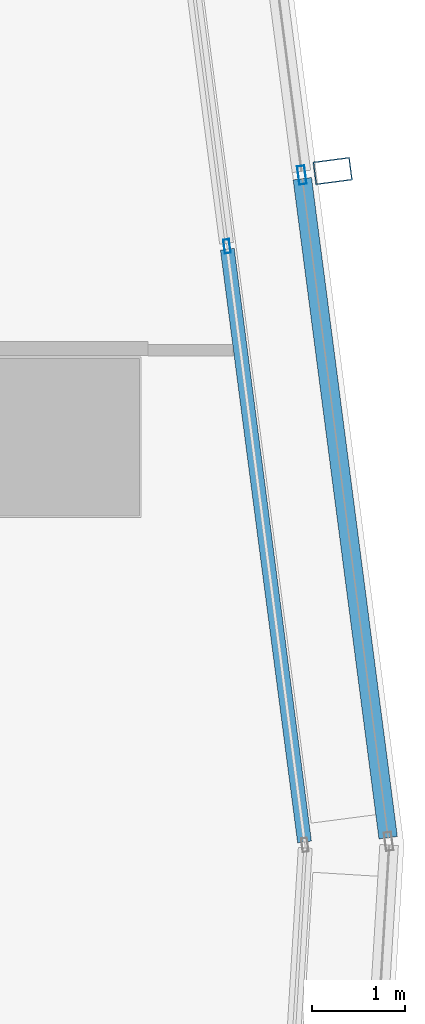
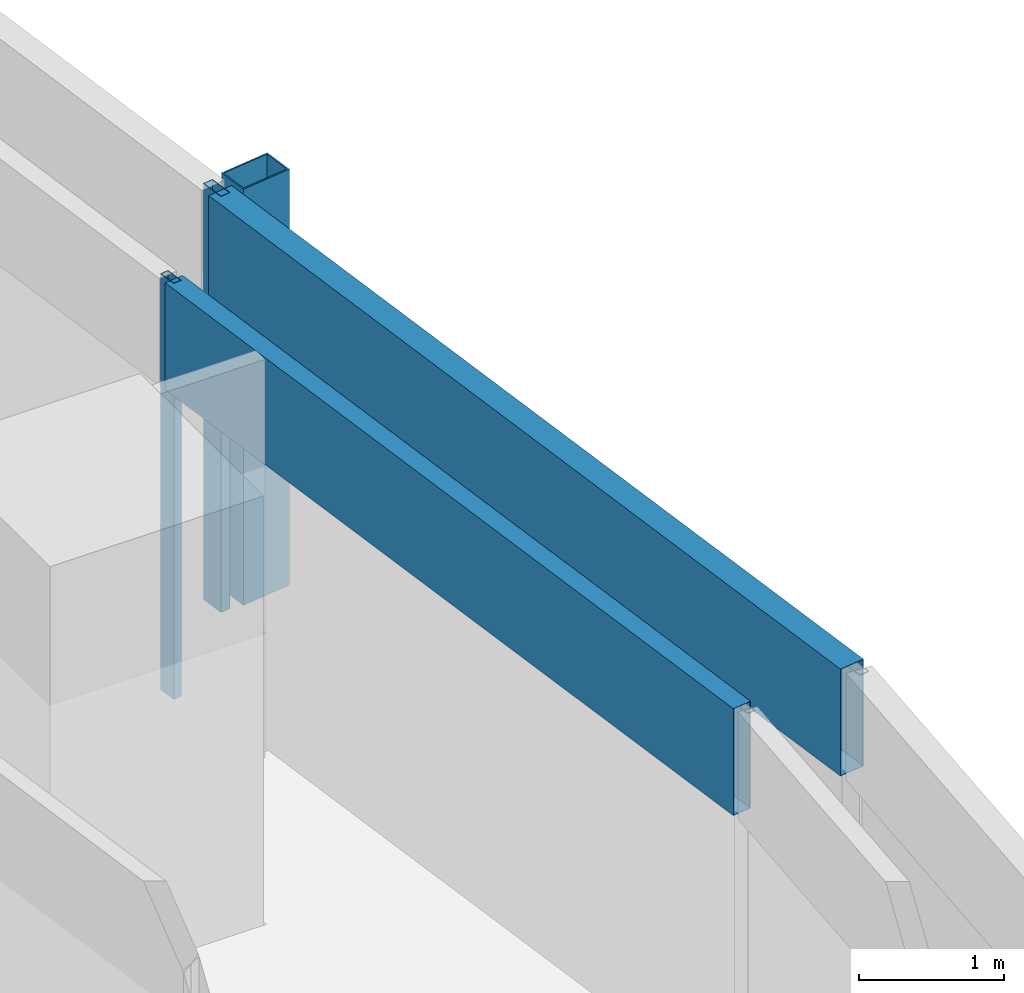
# One storey, part 26 of 40: 5 members, 2 elements without a shape of their own.
"""IFC4 building model written with IfcOpenShell, lengths in metres."""

import ifcopenshell
import ifcopenshell.guid

model = None  # the IFC model being written
_history = None  # IfcOwnerHistory: only IFC2X3 demands one
_inside = {}  # id of a spatial element -> (the spatial element, [elements in it])
_under = {}  # id of a project, library or spatial element -> (it, [spatial elements below it])
_declared = {}  # id of a project -> (the project, [libraries it declares])
_typed = {}  # id of a type object -> (the type object, [elements of that type])
_made_of = {}  # id of a material, layer set ... -> (it, [elements and type objects made of it])


def new_model(schema):
    """Start an empty IFC model of exactly this schema.

    Asked for "IFC4X3", IfcOpenShell would pick the latest addendum, in which some entities
    have other attributes; the version numbers below select the first issue.
    IFC2X3 requires an IfcOwnerHistory on every rooted entity: one is made here for all.
    """
    global model, _history
    if schema == "IFC4X3":
        model = ifcopenshell.file(schema_version=(4, 3, 0, 0))
    else:
        model = ifcopenshell.file(schema=schema)
    _inside.clear()
    _under.clear()
    _declared.clear()
    _typed.clear()
    _made_of.clear()
    _history = None
    if model.schema == "IFC2X3":
        org = make("IfcOrganization", Name="unknown")
        user = make(
            "IfcPersonAndOrganization",
            ThePerson=make("IfcPerson", FamilyName="unknown"),
            TheOrganization=org,
        )
        app = make(
            "IfcApplication",
            ApplicationDeveloper=org,
            Version="unknown",
            ApplicationFullName="unknown",
            ApplicationIdentifier="unknown",
        )
        _history = make(
            "IfcOwnerHistory",
            OwningUser=user,
            OwningApplication=app,
            ChangeAction="ADDED",
            CreationDate=0,
        )
    return model


def make(cls, **values):
    """One entity of the class cls with the attributes given. An attribute that is None is left unset."""
    return model.create_entity(
        cls, **{name: value for name, value in values.items() if value is not None}
    )


def rooted(cls, **values):
    """An entity with a GlobalId (a new one), such as an element, a storey or a relation."""
    return make(cls, GlobalId=ifcopenshell.guid.new(), OwnerHistory=_history, **values)


def si_unit(unit_type, name, prefix=None):
    """IfcSIUnit, for example si_unit("LENGTHUNIT", "METRE", prefix="MILLI")."""
    return make("IfcSIUnit", UnitType=unit_type, Prefix=prefix, Name=name)


def assignment(units):
    """IfcUnitAssignment: the units of a project."""
    return None if units is None else make("IfcUnitAssignment", Units=units)


def point(xyz):
    """IfcCartesianPoint."""
    return None if xyz is None else make("IfcCartesianPoint", Coordinates=xyz)


def direction(xyz):
    """IfcDirection."""
    return None if xyz is None else make("IfcDirection", DirectionRatios=xyz)


def frame(location, z_axis=None, x_axis=None):
    """IfcAxis2Placement3D, a coordinate frame: its origin and axes. An axis left out is left unset."""
    return make(
        "IfcAxis2Placement3D",
        Location=point(location),
        Axis=direction(z_axis),
        RefDirection=direction(x_axis),
    )


def frame_2d(location, x_axis=None):
    """IfcAxis2Placement2D, a coordinate frame in the plane: its origin and x axis."""
    return make(
        "IfcAxis2Placement2D", Location=point(location), RefDirection=direction(x_axis)
    )


def origin():
    """The frame at (0, 0, 0) with its axes left unset."""
    return frame((0.0, 0.0, 0.0))


def origin_2d():
    """The frame at (0, 0) in the plane with its x axis left unset."""
    return frame_2d((0.0, 0.0))


def place(relative_to, where):
    """IfcLocalPlacement: puts the frame where relative to a parent placement (None: the world)."""
    return make(
        "IfcLocalPlacement", PlacementRelTo=relative_to, RelativePlacement=where
    )


def context(
    kind, dimensions, precision=None, world=None, true_north=None, identifier=None
):
    """IfcGeometricRepresentationContext, for example the 3D "Model" context."""
    return make(
        "IfcGeometricRepresentationContext",
        ContextIdentifier=identifier,
        ContextType=kind,
        CoordinateSpaceDimension=dimensions,
        Precision=precision,
        WorldCoordinateSystem=world,
        TrueNorth=true_north,
    )


def subcontext(parent, identifier, kind, view, scale=None):
    """IfcGeometricRepresentationSubContext, for example "Body" below "Model"."""
    return make(
        "IfcGeometricRepresentationSubContext",
        ContextIdentifier=identifier,
        ContextType=kind,
        ParentContext=parent,
        TargetScale=scale,
        TargetView=view,
    )


def project(units=None, contexts=None):
    """IfcProject with its units and contexts."""
    return rooted(
        "IfcProject",
        Name="project",
        RepresentationContexts=contexts,
        UnitsInContext=assignment(units),
    )


def spatial(cls, under=None, at=None, **own):
    """A site, building, storey or space (cls), placed at a placement, below another one or the project."""
    s = rooted(cls, ObjectPlacement=at, **own)
    if under is not None:
        _under.setdefault(under.id(), (under, []))[1].append(s)
    return s


def profile(cls, at=None, kind="AREA", **sizes):
    """A parametric profile (cls). Its sizes go by their IFC names, for example OverallWidth=200.0."""
    return make(cls, ProfileType=kind, Position=at, **sizes)


def hollow_rectangle(**sizes):
    """IfcRectangleHollowProfileDef."""
    return profile("IfcRectangleHollowProfileDef", **sizes)


def extrude(swept, where, along, depth):
    """IfcExtrudedAreaSolid: the profile swept, set in the frame where, extruded along a direction by depth."""
    return make(
        "IfcExtrudedAreaSolid",
        SweptArea=swept,
        Position=where,
        ExtrudedDirection=direction(along),
        Depth=depth,
    )


def shape(context_of_items, identifier, shape_type, items):
    """IfcShapeRepresentation: the items that make up one representation, for example the "Body"."""
    return make(
        "IfcShapeRepresentation",
        ContextOfItems=context_of_items,
        RepresentationIdentifier=identifier,
        RepresentationType=shape_type,
        Items=items,
    )


def material(Name=None, Category=None):
    """IfcMaterial."""
    return make("IfcMaterial", Name=Name, Category=Category)


def material_profile(
    of_material, cross_section, Name=None, Category=None, Priority=None
):
    """IfcMaterialProfile: a cross section and its material."""
    return make(
        "IfcMaterialProfile",
        Name=Name,
        Material=of_material,
        Profile=cross_section,
        Priority=Priority,
        Category=Category,
    )


def profile_set(profiles, Name=None, composite=None):
    """IfcMaterialProfileSet."""
    return make(
        "IfcMaterialProfileSet",
        Name=Name,
        MaterialProfiles=profiles,
        CompositeProfile=composite,
    )


def made_of(thing, what):
    """Note that an element or type object is made of a material, layer set ...; save() writes the relation."""
    if what is not None:
        _made_of.setdefault(what.id(), (what, []))[1].append(thing)
    return thing


def type_object(cls, material=None, **own):
    """A type object (cls), such as IfcWallType, which elements share."""
    return made_of(rooted(cls, **own), material)


def element(
    cls,
    number,
    at=None,
    inside=None,
    cuts=None,
    type_object=None,
    material=None,
    context=None,
    identifier="Body",
    shape_type=None,
    held_by="IfcProductDefinitionShape",
    body=None,
    shapes=None,
    **own,
):
    """One element of the class cls, such as IfcWall. Its Tag is "e" and its number.

    at: its placement. inside: the storey or other place that contains it. cuts: it is an
    opening in that element (IfcRelVoidsElement). A single representation is given by context,
    identifier, shape_type and body (its items); several are given by shapes. held_by: the class
    of the entity that holds the representations. save() writes the other relations.
    """
    e = rooted(cls, Tag="e%d" % number, ObjectPlacement=at, **own)
    if body is not None:
        shapes = [shape(context, identifier, shape_type, body)]
    if shapes is not None:
        e.Representation = make(held_by, Representations=shapes)
    if inside is not None:
        _inside.setdefault(inside.id(), (inside, []))[1].append(e)
    if cuts is not None:
        rooted(
            "IfcRelVoidsElement", RelatingBuildingElement=cuts, RelatedOpeningElement=e
        )
    if type_object is not None:
        _typed.setdefault(type_object.id(), (type_object, []))[1].append(e)
    return made_of(e, material)


def aggregate(whole, parts):
    """IfcRelAggregates: a whole, such as a stair, and the parts it consists of."""
    return rooted("IfcRelAggregates", RelatingObject=whole, RelatedObjects=parts)


def save(model, path):
    """Write the relations noted so far, then the file.

    IfcRelAggregates (storeys below a building ...), IfcRelContainedInSpatialStructure (elements
    in a storey), IfcRelDefinesByType, IfcRelAssociatesMaterial and IfcRelDeclares: one each for
    every whole, place, type object, material and project.
    """
    for whole, parts in _under.values():
        aggregate(whole, parts)
    for where, things in _inside.values():
        rooted(
            "IfcRelContainedInSpatialStructure",
            RelatedElements=things,
            RelatingStructure=where,
        )
    for kind, things in _typed.values():
        rooted("IfcRelDefinesByType", RelatedObjects=things, RelatingType=kind)
    for what, things in _made_of.values():
        rooted("IfcRelAssociatesMaterial", RelatedObjects=things, RelatingMaterial=what)
    for by, libraries in _declared.values():
        rooted("IfcRelDeclares", RelatingContext=by, RelatedDefinitions=libraries)
    model.write(path)


model = new_model("IFC4")

# Units and contexts
model_context = context("Model", 3, precision=1e-05, world=origin(), true_north=direction((0.0, 1.0)))
body_context = subcontext(model_context, "Body", "Model", "MODEL_VIEW")
ifc_project = project(units=[si_unit("LENGTHUNIT", "METRE"), si_unit("AREAUNIT", "SQUARE_METRE"), si_unit("VOLUMEUNIT", "CUBIC_METRE"), si_unit("PLANEANGLEUNIT", "RADIAN"), si_unit("MASSUNIT", "GRAM", prefix="KILO")], contexts=[model_context])

# Site, building, storey
site_placement = place(None, origin())
site = spatial("IfcSite", under=ifc_project, at=site_placement, CompositionType="ELEMENT")
building_placement = place(site_placement, origin())
building = spatial("IfcBuilding", under=site, at=building_placement, Name="Rekha Terrace Tower", CompositionType="ELEMENT")
storey_placement = place(building_placement, frame((0.0, 0.0, 110.300048828125)))
storey = spatial("IfcBuildingStorey", under=building, at=storey_placement, Name="L27", CompositionType="ELEMENT", Elevation=110.300048828125)

# Curtain wall, member
ifc_material_1 = material(Name="Aluminium framing", Category="aluminium")
curtain_wall_type_1 = type_object("IfcCurtainWallType", Name="CW2 double skin outer glazing", PredefinedType="USERDEFINED", material=ifc_material_1)
curtain_wall_1_placement = place(storey_placement, origin())
curtain_wall_1 = element("IfcCurtainWall", 1, at=curtain_wall_1_placement, inside=storey, type_object=curtain_wall_type_1, Name="CW2 double skin outer glazing", ObjectType="DOUBLE SKIN OUTER GLAZING", PredefinedType="USERDEFINED")
ifc_material_2 = material(Name="Steel S355 with fluorocarbon finish", Category="steel")
ifc_material_profile_1 = material_profile(ifc_material_2, hollow_rectangle(XDim=0.25, YDim=0.39990234375, WallThickness=0.012451171875, at=origin_2d()), Name="RHS400x250x12.5")
ifc_profile_set_1 = profile_set([ifc_material_profile_1], Name="Steel S355 with fluorocarbon finish")
member_type_1 = type_object("IfcMemberType", Name="BL1 facade blade RHS 400 x 250", PredefinedType="USERDEFINED", material=ifc_profile_set_1)
member_1_placement = place(storey_placement, frame((70.131103515625, 53.2685546875, 0.0), z_axis=(0.0, 0.0, 1.0), x_axis=(-0.129119247945, 0.991629073702, 0.0)))
member_1 = element("IfcMember", 2, at=member_1_placement, type_object=member_type_1, Name="Facade blade", ObjectType="FACADE BLADE", PredefinedType="USERDEFINED", context=body_context, shape_type="SweptSolid", body=[
    extrude(hollow_rectangle(XDim=0.25, YDim=0.39990234375, WallThickness=0.012451171875, at=origin_2d()), origin(), (0.0, 0.0, 1.0), 3.5),
])

# Curtain wall, members
curtain_wall_type_2 = type_object("IfcCurtainWallType", Name="CW1 double skin inner glazing", PredefinedType="USERDEFINED", material=ifc_material_1)
curtain_wall_2_placement = place(storey_placement, origin())
curtain_wall_2 = element("IfcCurtainWall", 3, at=curtain_wall_2_placement, inside=storey, type_object=curtain_wall_type_2, Name="CW1 double skin inner glazing", ObjectType="DOUBLE SKIN INNER GLAZING", PredefinedType="USERDEFINED")
ifc_material_3 = material(Name="Aluminium mullion section", Category="aluminium")
ifc_material_profile_2 = material_profile(ifc_material_3, hollow_rectangle(XDim=0.06494140625, YDim=0.14990234375, WallThickness=0.00390625, at=origin_2d()), Name="AL RHS 65x150")
ifc_profile_set_2 = profile_set([ifc_material_profile_2], Name="Aluminium mullion section")
member_type_2 = type_object("IfcMemberType", Name="CW1 mullion RHS 65 x 150", PredefinedType="MULLION", material=ifc_profile_set_2)
member_2_placement = place(storey_placement, frame((68.9912109375, 52.45751953125, 0.0), z_axis=(0.0, 0.0, 1.0), x_axis=(-0.991629186237, -0.129118383675, 0.0)))
member_2 = element("IfcMember", 4, at=member_2_placement, type_object=member_type_2, Name="CW1 mullion 2", PredefinedType="MULLION", context=body_context, shape_type="SweptSolid", body=[
    extrude(hollow_rectangle(XDim=0.06494140625, YDim=0.14990234375, WallThickness=0.00390625, at=origin_2d()), origin(), (0.0, 0.0, 1.0), 3.5),
])
ifc_material_4 = material(Name="Insulated aluminium spandrel box", Category="aluminium")
ifc_material_profile_3 = material_profile(ifc_material_4, hollow_rectangle(XDim=0.14990234375, YDim=0.89990234375, WallThickness=0.0029296875, at=origin_2d()), Name="AL SPANDREL BOX 150x900")
ifc_profile_set_3 = profile_set([ifc_material_profile_3], Name="Insulated aluminium spandrel box")
member_type_3 = type_object("IfcMemberType", Name="CW1 spandrel transom 150 x 900", PredefinedType="USERDEFINED", material=ifc_profile_set_3)
member_3_placement = place(storey_placement, frame((69.827392578125, 46.0361328125, 3.050048828125), z_axis=(-0.129135072997, 0.991627013005, 0.0), x_axis=(-0.991627013005, -0.129135072997, 0.0)))
member_3 = element("IfcMember", 5, at=member_3_placement, type_object=member_type_3, Name="CW1 spandrel transom 1", ObjectType="TRANSOM", PredefinedType="USERDEFINED", context=body_context, shape_type="SweptSolid", body=[
    extrude(hollow_rectangle(XDim=0.14990234375, YDim=0.89990234375, WallThickness=0.0029296875, at=origin_2d()), origin(), (0.0, 0.0, 1.0), 6.443115234375),
])
aggregate(curtain_wall_2, [member_2, member_3])

# Member
ifc_material_profile_4 = material_profile(ifc_material_3, hollow_rectangle(XDim=0.080078125, YDim=0.199951171875, WallThickness=0.00390625, at=origin_2d()), Name="AL RHS 80x200")
ifc_profile_set_4 = profile_set([ifc_material_profile_4], Name="Aluminium mullion section")
member_type_4 = type_object("IfcMemberType", Name="CW2 mullion RHS 80 x 200", PredefinedType="MULLION", material=ifc_profile_set_4)
member_4_placement = place(storey_placement, frame((69.798828125, 53.225341796875, 0.0), z_axis=(0.0, 0.0, 1.0), x_axis=(-0.991629186244, -0.129118383623, 0.0)))
member_4 = element("IfcMember", 6, at=member_4_placement, type_object=member_type_4, Name="CW2 mullion 2", PredefinedType="MULLION", context=body_context, shape_type="SweptSolid", body=[
    extrude(hollow_rectangle(XDim=0.080078125, YDim=0.199951171875, WallThickness=0.00390625, at=origin_2d()), origin(), (0.0, 0.0, 1.0), 3.5),
])

ifc_material_profile_5 = material_profile(ifc_material_4, hollow_rectangle(XDim=0.199951171875, YDim=0.89990234375, WallThickness=0.0029296875, at=origin_2d()), Name="AL SPANDREL BOX 200x900")
ifc_profile_set_5 = profile_set([ifc_material_profile_5], Name="Insulated aluminium spandrel box")
member_type_5 = type_object("IfcMemberType", Name="CW2 spandrel transom 200 x 900", PredefinedType="USERDEFINED", material=ifc_profile_set_5)
member_5_placement = place(storey_placement, frame((70.72900390625, 46.081787109375, 3.050048828125), z_axis=(-0.129125015962, 0.991628322635, 0.0), x_axis=(-0.991628322635, -0.129125015962, 0.0)))
member_5 = element("IfcMember", 7, at=member_5_placement, type_object=member_type_5, Name="CW2 spandrel transom 1", ObjectType="TRANSOM", PredefinedType="USERDEFINED", context=body_context, shape_type="SweptSolid", body=[
    extrude(hollow_rectangle(XDim=0.199951171875, YDim=0.89990234375, WallThickness=0.0029296875, at=origin_2d()), origin(), (0.0, 0.0, 1.0), 7.1640625),
])

aggregate(curtain_wall_1, [member_4, member_5, member_1])

save(model, "model.ifc")
